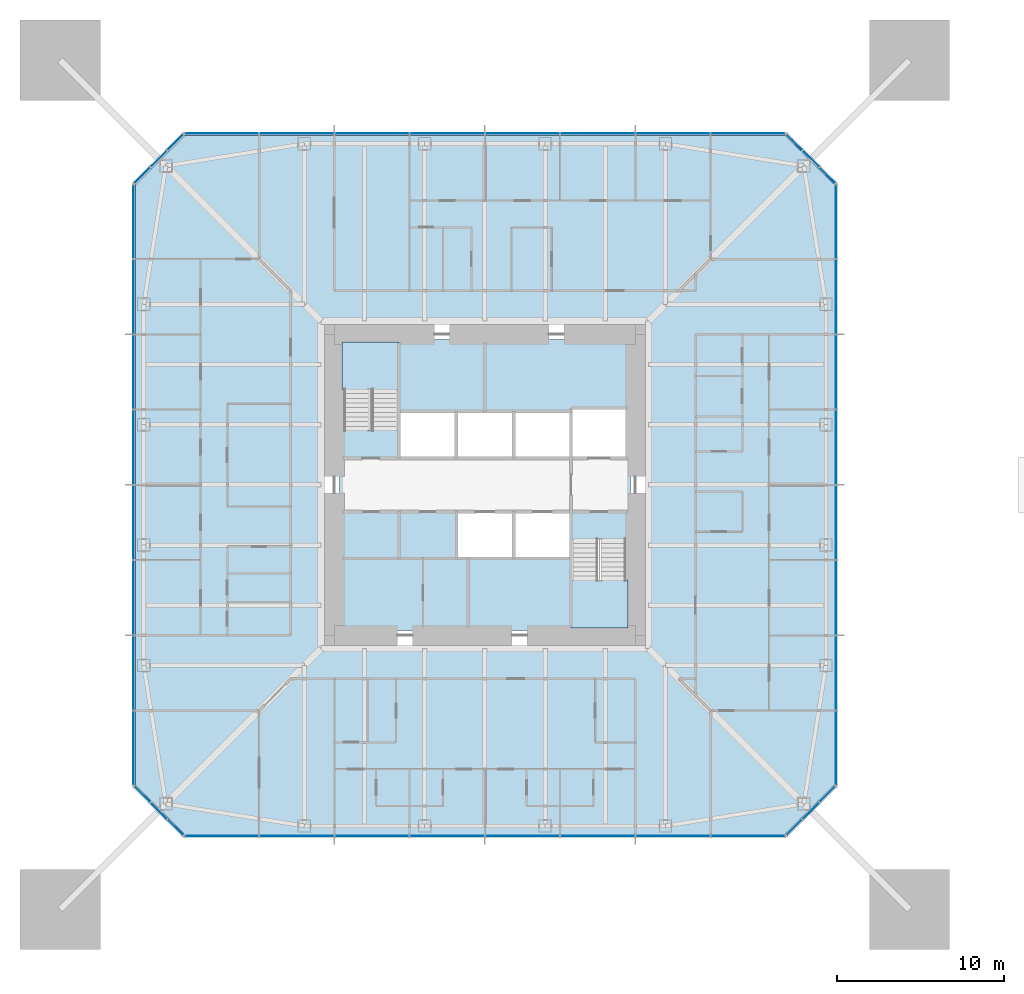
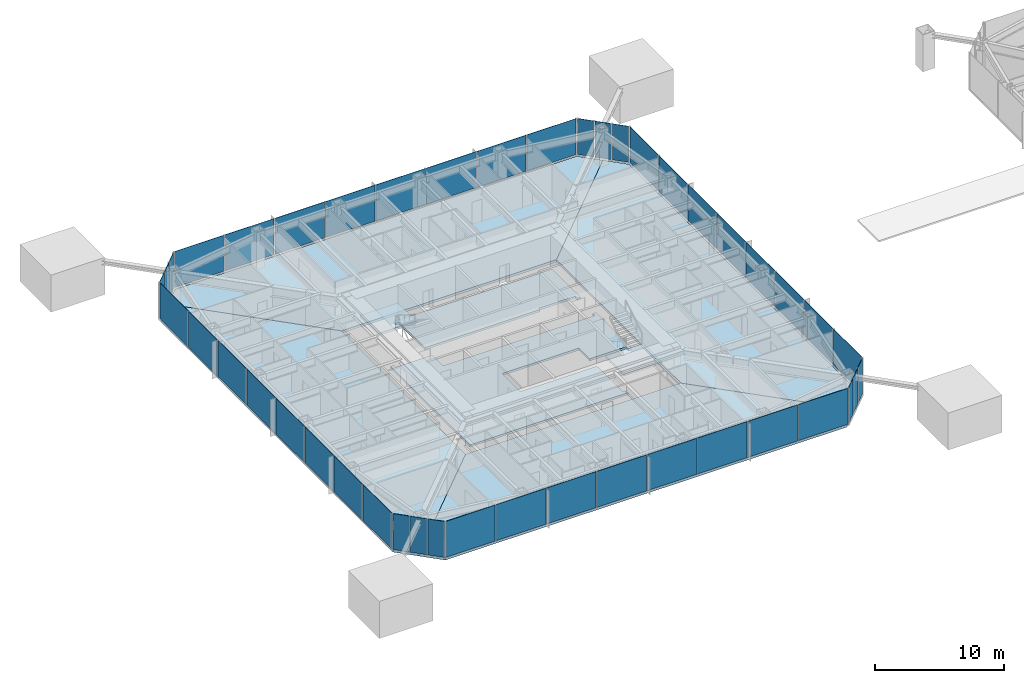
# One storey, part 11 of 25: 44 plates, 8 slabs, 10 elements without a shape of their own.
"""IFC4 building model written with IfcOpenShell, lengths in metres."""

from ifc_helpers import new_model, si_unit, direction, frame, origin, origin_2d, place, context, subcontext, project, spatial, polyline, rectangle, outline, extrude, material, layer, layer_set, constituent, constituent_set, type_object, element, aggregate, save


model = new_model("IFC4")

# Units and contexts
model_context = context("Model", 3, precision=1e-05, world=origin(), true_north=direction((0.0, 1.0)))
body_context = subcontext(model_context, "Body", "Model", "MODEL_VIEW")
ifc_project = project(units=[si_unit("LENGTHUNIT", "METRE"), si_unit("AREAUNIT", "SQUARE_METRE"), si_unit("VOLUMEUNIT", "CUBIC_METRE"), si_unit("PLANEANGLEUNIT", "RADIAN"), si_unit("MASSUNIT", "GRAM", prefix="KILO")], contexts=[model_context])

# Site, building, storey
site_placement = place(None, origin())
site = spatial("IfcSite", under=ifc_project, at=site_placement, CompositionType="ELEMENT")
building_placement = place(site_placement, origin())
building = spatial("IfcBuilding", under=site, at=building_placement, Name="Iwan Alto Co-Living Towers", CompositionType="ELEMENT")
storey_placement = place(building_placement, frame((0.0, 0.0, 101.5)))
storey = spatial("IfcBuildingStorey", under=building, at=storey_placement, Name="L27", CompositionType="ELEMENT", Elevation=101.5)

# Slabs
ifc_material_1 = material(Name="Concrete f'c 30 MPa", Category="concrete")
ifc_layer_1 = layer(ifc_material_1, 0.199951171875)
ifc_layer_set_1 = layer_set([ifc_layer_1], Name="CORE FLOOR SLAB 200")
slab_type_1 = type_object("IfcSlabType", Name="CORE FLOOR SLAB 200", PredefinedType="FLOOR", material=ifc_layer_set_1)
slab_1_placement = place(storey_placement, frame((0.0, 0.0, -0.199951171875)))
element("IfcSlab", 1, at=slab_1_placement, inside=storey, type_object=slab_type_1, Name="T1 core floor L27", PredefinedType="FLOOR", context=body_context, shape_type="SweptSolid", body=[
    extrude(outline(polyline([(5.14990234375, -1.60009765625), (1.72509765625, -1.60009765625), (-1.699951171875, -1.60009765625), (-1.699951171875, -4.39990234375), (1.72509765625, -4.39990234375), (5.14990234375, -4.39990234375), (5.14990234375, -8.39990234375), (5.4599609375, -8.39990234375), (5.4599609375, -8.699951171875), (-8.699951171875, -8.699951171875), (-8.699951171875, 3.580078125), (-8.39990234375, 3.580078125), (-8.39990234375, 3.27001953125), (-5.14990234375, 3.27001953125), (-5.14990234375, 1.60009765625), (-1.717041015625, 1.60009765625), (1.717041015625, 1.60009765625), (5.14990234375, 1.60009765625), (8.39990234375, 1.60009765625), (8.39990234375, 1.909912109375), (8.699951171875, 1.909912109375), (8.699951171875, -3.580078125), (8.39990234375, -3.580078125), (8.39990234375, -3.27001953125), (5.14990234375, -3.27001953125), (5.14990234375, -1.60009765625)])), origin(), (0.0, 0.0, 1.0), 0.199951171875),
])
slab_2_placement = place(storey_placement, frame((0.0, 0.0, -0.199951171875)))
element("IfcSlab", 2, at=slab_2_placement, inside=storey, type_object=slab_type_1, Name="T1 core floor L27", PredefinedType="FLOOR", context=body_context, shape_type="SweptSolid", body=[
    extrude(outline(polyline([(1.717041015625, 4.39990234375), (-1.717041015625, 4.39990234375), (-5.14990234375, 4.39990234375), (-5.14990234375, 8.39990234375), (-5.4599609375, 8.39990234375), (-5.4599609375, 8.699951171875), (8.699951171875, 8.699951171875), (8.699951171875, 4.2900390625), (8.39990234375, 4.2900390625), (8.39990234375, 4.60009765625), (5.14990234375, 4.60009765625), (5.14990234375, 4.39990234375), (1.717041015625, 4.39990234375)])), origin(), (0.0, 0.0, 1.0), 0.199951171875),
])

# Curtain wall, plates
ifc_material_2 = material(Name="Bronze aluminium unitised frame", Category="aluminium")
curtain_wall_type_1 = type_object("IfcCurtainWallType", Name="CURTAIN WALL CW-A", PredefinedType="NOTDEFINED", material=ifc_material_2)
curtain_wall_1_placement = place(storey_placement, origin())
curtain_wall_1 = element("IfcCurtainWall", 3, at=curtain_wall_1_placement, inside=storey, type_object=curtain_wall_type_1, Name="T1 curtain wall S L27", PredefinedType="NOTDEFINED")
ifc_material_3 = material(Name="Bronze-tinted insulating glass", Category="glass")
ifc_layer_2 = layer(ifc_material_3, 0.031982421875)
ifc_layer_set_2 = layer_set([ifc_layer_2], Name="CW-A PANEL TINTED IGU 32")
plate_type_1 = type_object("IfcPlateType", Name="CW-A PANEL TINTED IGU 32", PredefinedType="CURTAIN_PANEL", material=ifc_layer_set_2)
plate_1_placement = place(storey_placement, frame((-15.72998046875, -21.0, 0.10009765625), z_axis=(0.0, 0.0, 1.0), x_axis=(1.0, 0.0, 0.0)))
plate_1 = element("IfcPlate", 4, at=plate_1_placement, type_object=plate_type_1, Name="CW-A panel 1.1", PredefinedType="CURTAIN_PANEL", context=body_context, shape_type="SweptSolid", body=[
    extrude(rectangle(XDim=4.3798828125, YDim=0.031982421875, at=origin_2d()), origin(), (0.0, 0.0, 1.0), 3.39990234375),
])
plate_2_placement = place(storey_placement, frame((-11.25, -21.0, 0.10009765625), z_axis=(0.0, 0.0, 1.0), x_axis=(1.0, 0.0, 0.0)))
plate_2 = element("IfcPlate", 5, at=plate_2_placement, type_object=plate_type_1, Name="CW-A panel 2.1", PredefinedType="CURTAIN_PANEL", context=body_context, shape_type="SweptSolid", body=[
    extrude(rectangle(XDim=4.419921875, YDim=0.031982421875, at=origin_2d()), origin(), (0.0, 0.0, 1.0), 3.39990234375),
])
plate_3_placement = place(storey_placement, frame((-6.75, -21.0, 0.10009765625), z_axis=(0.0, 0.0, 1.0), x_axis=(1.0, 0.0, 0.0)))
plate_3 = element("IfcPlate", 6, at=plate_3_placement, type_object=plate_type_1, Name="CW-A panel 3.1", PredefinedType="CURTAIN_PANEL", context=body_context, shape_type="SweptSolid", body=[
    extrude(rectangle(XDim=4.419921875, YDim=0.031982421875, at=origin_2d()), origin(), (0.0, 0.0, 1.0), 3.39990234375),
])
plate_4_placement = place(storey_placement, frame((-2.25, -21.0, 0.10009765625), z_axis=(0.0, 0.0, 1.0), x_axis=(1.0, 0.0, 0.0)))
plate_4 = element("IfcPlate", 7, at=plate_4_placement, type_object=plate_type_1, Name="CW-A panel 4.1", PredefinedType="CURTAIN_PANEL", context=body_context, shape_type="SweptSolid", body=[
    extrude(rectangle(XDim=4.419921875, YDim=0.031982421875, at=origin_2d()), origin(), (0.0, 0.0, 1.0), 3.39990234375),
])
plate_5_placement = place(storey_placement, frame((2.25, -21.0, 0.10009765625), z_axis=(0.0, 0.0, 1.0), x_axis=(1.0, 0.0, 0.0)))
plate_5 = element("IfcPlate", 8, at=plate_5_placement, type_object=plate_type_1, Name="CW-A panel 5.1", PredefinedType="CURTAIN_PANEL", context=body_context, shape_type="SweptSolid", body=[
    extrude(rectangle(XDim=4.419921875, YDim=0.031982421875, at=origin_2d()), origin(), (0.0, 0.0, 1.0), 3.39990234375),
])
plate_6_placement = place(storey_placement, frame((6.75, -21.0, 0.10009765625), z_axis=(0.0, 0.0, 1.0), x_axis=(1.0, 0.0, 0.0)))
plate_6 = element("IfcPlate", 9, at=plate_6_placement, type_object=plate_type_1, Name="CW-A panel 6.1", PredefinedType="CURTAIN_PANEL", context=body_context, shape_type="SweptSolid", body=[
    extrude(rectangle(XDim=4.419921875, YDim=0.031982421875, at=origin_2d()), origin(), (0.0, 0.0, 1.0), 3.39990234375),
])
plate_7_placement = place(storey_placement, frame((11.25, -21.0, 0.10009765625), z_axis=(0.0, 0.0, 1.0), x_axis=(1.0, 0.0, 0.0)))
plate_7 = element("IfcPlate", 10, at=plate_7_placement, type_object=plate_type_1, Name="CW-A panel 7.1", PredefinedType="CURTAIN_PANEL", context=body_context, shape_type="SweptSolid", body=[
    extrude(rectangle(XDim=4.419921875, YDim=0.031982421875, at=origin_2d()), origin(), (0.0, 0.0, 1.0), 3.39990234375),
])
plate_8_placement = place(storey_placement, frame((15.72998046875, -21.0, 0.10009765625), z_axis=(0.0, 0.0, 1.0), x_axis=(1.0, 0.0, 0.0)))
plate_8 = element("IfcPlate", 11, at=plate_8_placement, type_object=plate_type_1, Name="CW-A panel 8.1", PredefinedType="CURTAIN_PANEL", context=body_context, shape_type="SweptSolid", body=[
    extrude(rectangle(XDim=4.3798828125, YDim=0.031982421875, at=origin_2d()), origin(), (0.0, 0.0, 1.0), 3.39990234375),
])
aggregate(curtain_wall_1, [plate_1, plate_2, plate_3, plate_4, plate_5, plate_6, plate_7, plate_8])

curtain_wall_2_placement = place(storey_placement, origin())
curtain_wall_2 = element("IfcCurtainWall", 12, at=curtain_wall_2_placement, inside=storey, type_object=curtain_wall_type_1, Name="T1 curtain wall E L27", PredefinedType="NOTDEFINED")
plate_9_placement = place(storey_placement, frame((21.0, -15.72998046875, 0.10009765625), z_axis=(0.0, 0.0, 1.0), x_axis=(0.0, 1.0, 0.0)))
plate_9 = element("IfcPlate", 13, at=plate_9_placement, type_object=plate_type_1, Name="CW-A panel 1.1", PredefinedType="CURTAIN_PANEL", context=body_context, shape_type="SweptSolid", body=[
    extrude(rectangle(XDim=4.3798828125, YDim=0.031982421875, at=origin_2d()), origin(), (0.0, 0.0, 1.0), 3.39990234375),
])
plate_10_placement = place(storey_placement, frame((21.0, -11.25, 0.10009765625), z_axis=(0.0, 0.0, 1.0), x_axis=(0.0, 1.0, 0.0)))
plate_10 = element("IfcPlate", 14, at=plate_10_placement, type_object=plate_type_1, Name="CW-A panel 2.1", PredefinedType="CURTAIN_PANEL", context=body_context, shape_type="SweptSolid", body=[
    extrude(rectangle(XDim=4.419921875, YDim=0.031982421875, at=origin_2d()), origin(), (0.0, 0.0, 1.0), 3.39990234375),
])
plate_11_placement = place(storey_placement, frame((21.0, -6.75, 0.10009765625), z_axis=(0.0, 0.0, 1.0), x_axis=(0.0, 1.0, 0.0)))
plate_11 = element("IfcPlate", 15, at=plate_11_placement, type_object=plate_type_1, Name="CW-A panel 3.1", PredefinedType="CURTAIN_PANEL", context=body_context, shape_type="SweptSolid", body=[
    extrude(rectangle(XDim=4.419921875, YDim=0.031982421875, at=origin_2d()), origin(), (0.0, 0.0, 1.0), 3.39990234375),
])
plate_12_placement = place(storey_placement, frame((21.0, -2.25, 0.10009765625), z_axis=(0.0, 0.0, 1.0), x_axis=(0.0, 1.0, 0.0)))
plate_12 = element("IfcPlate", 16, at=plate_12_placement, type_object=plate_type_1, Name="CW-A panel 4.1", PredefinedType="CURTAIN_PANEL", context=body_context, shape_type="SweptSolid", body=[
    extrude(rectangle(XDim=4.419921875, YDim=0.031982421875, at=origin_2d()), origin(), (0.0, 0.0, 1.0), 3.39990234375),
])
plate_13_placement = place(storey_placement, frame((21.0, 2.25, 0.10009765625), z_axis=(0.0, 0.0, 1.0), x_axis=(0.0, 1.0, 0.0)))
plate_13 = element("IfcPlate", 17, at=plate_13_placement, type_object=plate_type_1, Name="CW-A panel 5.1", PredefinedType="CURTAIN_PANEL", context=body_context, shape_type="SweptSolid", body=[
    extrude(rectangle(XDim=4.419921875, YDim=0.031982421875, at=origin_2d()), origin(), (0.0, 0.0, 1.0), 3.39990234375),
])
plate_14_placement = place(storey_placement, frame((21.0, 6.75, 0.10009765625), z_axis=(0.0, 0.0, 1.0), x_axis=(0.0, 1.0, 0.0)))
plate_14 = element("IfcPlate", 18, at=plate_14_placement, type_object=plate_type_1, Name="CW-A panel 6.1", PredefinedType="CURTAIN_PANEL", context=body_context, shape_type="SweptSolid", body=[
    extrude(rectangle(XDim=4.419921875, YDim=0.031982421875, at=origin_2d()), origin(), (0.0, 0.0, 1.0), 3.39990234375),
])
plate_15_placement = place(storey_placement, frame((21.0, 11.25, 0.10009765625), z_axis=(0.0, 0.0, 1.0), x_axis=(0.0, 1.0, 0.0)))
plate_15 = element("IfcPlate", 19, at=plate_15_placement, type_object=plate_type_1, Name="CW-A panel 7.1", PredefinedType="CURTAIN_PANEL", context=body_context, shape_type="SweptSolid", body=[
    extrude(rectangle(XDim=4.419921875, YDim=0.031982421875, at=origin_2d()), origin(), (0.0, 0.0, 1.0), 3.39990234375),
])
plate_16_placement = place(storey_placement, frame((21.0, 15.72998046875, 0.10009765625), z_axis=(0.0, 0.0, 1.0), x_axis=(0.0, 1.0, 0.0)))
plate_16 = element("IfcPlate", 20, at=plate_16_placement, type_object=plate_type_1, Name="CW-A panel 8.1", PredefinedType="CURTAIN_PANEL", context=body_context, shape_type="SweptSolid", body=[
    extrude(rectangle(XDim=4.3798828125, YDim=0.031982421875, at=origin_2d()), origin(), (0.0, 0.0, 1.0), 3.39990234375),
])
aggregate(curtain_wall_2, [plate_9, plate_10, plate_11, plate_12, plate_13, plate_14, plate_15, plate_16])

curtain_wall_3_placement = place(storey_placement, origin())
curtain_wall_3 = element("IfcCurtainWall", 21, at=curtain_wall_3_placement, inside=storey, type_object=curtain_wall_type_1, Name="T1 curtain wall N L27", PredefinedType="NOTDEFINED")
plate_17_placement = place(storey_placement, frame((15.72998046875, 21.0, 0.10009765625), z_axis=(0.0, 0.0, 1.0), x_axis=(-1.0, 0.0, 0.0)))
plate_17 = element("IfcPlate", 22, at=plate_17_placement, type_object=plate_type_1, Name="CW-A panel 1.1", PredefinedType="CURTAIN_PANEL", context=body_context, shape_type="SweptSolid", body=[
    extrude(rectangle(XDim=4.3798828125, YDim=0.031982421875, at=origin_2d()), origin(), (0.0, 0.0, 1.0), 3.39990234375),
])
plate_18_placement = place(storey_placement, frame((11.25, 21.0, 0.10009765625), z_axis=(0.0, 0.0, 1.0), x_axis=(-1.0, 0.0, 0.0)))
plate_18 = element("IfcPlate", 23, at=plate_18_placement, type_object=plate_type_1, Name="CW-A panel 2.1", PredefinedType="CURTAIN_PANEL", context=body_context, shape_type="SweptSolid", body=[
    extrude(rectangle(XDim=4.419921875, YDim=0.031982421875, at=origin_2d()), origin(), (0.0, 0.0, 1.0), 3.39990234375),
])
plate_19_placement = place(storey_placement, frame((6.75, 21.0, 0.10009765625), z_axis=(0.0, 0.0, 1.0), x_axis=(-1.0, 0.0, 0.0)))
plate_19 = element("IfcPlate", 24, at=plate_19_placement, type_object=plate_type_1, Name="CW-A panel 3.1", PredefinedType="CURTAIN_PANEL", context=body_context, shape_type="SweptSolid", body=[
    extrude(rectangle(XDim=4.419921875, YDim=0.031982421875, at=origin_2d()), origin(), (0.0, 0.0, 1.0), 3.39990234375),
])
plate_20_placement = place(storey_placement, frame((2.25, 21.0, 0.10009765625), z_axis=(0.0, 0.0, 1.0), x_axis=(-1.0, 0.0, 0.0)))
plate_20 = element("IfcPlate", 25, at=plate_20_placement, type_object=plate_type_1, Name="CW-A panel 4.1", PredefinedType="CURTAIN_PANEL", context=body_context, shape_type="SweptSolid", body=[
    extrude(rectangle(XDim=4.419921875, YDim=0.031982421875, at=origin_2d()), origin(), (0.0, 0.0, 1.0), 3.39990234375),
])
plate_21_placement = place(storey_placement, frame((-2.25, 21.0, 0.10009765625), z_axis=(0.0, 0.0, 1.0), x_axis=(-1.0, 0.0, 0.0)))
plate_21 = element("IfcPlate", 26, at=plate_21_placement, type_object=plate_type_1, Name="CW-A panel 5.1", PredefinedType="CURTAIN_PANEL", context=body_context, shape_type="SweptSolid", body=[
    extrude(rectangle(XDim=4.419921875, YDim=0.031982421875, at=origin_2d()), origin(), (0.0, 0.0, 1.0), 3.39990234375),
])
plate_22_placement = place(storey_placement, frame((-6.75, 21.0, 0.10009765625), z_axis=(0.0, 0.0, 1.0), x_axis=(-1.0, 0.0, 0.0)))
plate_22 = element("IfcPlate", 27, at=plate_22_placement, type_object=plate_type_1, Name="CW-A panel 6.1", PredefinedType="CURTAIN_PANEL", context=body_context, shape_type="SweptSolid", body=[
    extrude(rectangle(XDim=4.419921875, YDim=0.031982421875, at=origin_2d()), origin(), (0.0, 0.0, 1.0), 3.39990234375),
])
plate_23_placement = place(storey_placement, frame((-11.25, 21.0, 0.10009765625), z_axis=(0.0, 0.0, 1.0), x_axis=(-1.0, 0.0, 0.0)))
plate_23 = element("IfcPlate", 28, at=plate_23_placement, type_object=plate_type_1, Name="CW-A panel 7.1", PredefinedType="CURTAIN_PANEL", context=body_context, shape_type="SweptSolid", body=[
    extrude(rectangle(XDim=4.419921875, YDim=0.031982421875, at=origin_2d()), origin(), (0.0, 0.0, 1.0), 3.39990234375),
])
plate_24_placement = place(storey_placement, frame((-15.72998046875, 21.0, 0.10009765625), z_axis=(0.0, 0.0, 1.0), x_axis=(-1.0, 0.0, 0.0)))
plate_24 = element("IfcPlate", 29, at=plate_24_placement, type_object=plate_type_1, Name="CW-A panel 8.1", PredefinedType="CURTAIN_PANEL", context=body_context, shape_type="SweptSolid", body=[
    extrude(rectangle(XDim=4.3798828125, YDim=0.031982421875, at=origin_2d()), origin(), (0.0, 0.0, 1.0), 3.39990234375),
])
aggregate(curtain_wall_3, [plate_17, plate_18, plate_19, plate_20, plate_21, plate_22, plate_23, plate_24])

curtain_wall_4_placement = place(storey_placement, origin())
curtain_wall_4 = element("IfcCurtainWall", 30, at=curtain_wall_4_placement, inside=storey, type_object=curtain_wall_type_1, Name="T1 curtain wall W L27", PredefinedType="NOTDEFINED")
plate_25_placement = place(storey_placement, frame((-21.0, 15.72998046875, 0.10009765625), z_axis=(0.0, 0.0, 1.0), x_axis=(0.0, -1.0, 0.0)))
plate_25 = element("IfcPlate", 31, at=plate_25_placement, type_object=plate_type_1, Name="CW-A panel 1.1", PredefinedType="CURTAIN_PANEL", context=body_context, shape_type="SweptSolid", body=[
    extrude(rectangle(XDim=4.3798828125, YDim=0.031982421875, at=origin_2d()), origin(), (0.0, 0.0, 1.0), 3.39990234375),
])
plate_26_placement = place(storey_placement, frame((-21.0, 11.25, 0.10009765625), z_axis=(0.0, 0.0, 1.0), x_axis=(0.0, -1.0, 0.0)))
plate_26 = element("IfcPlate", 32, at=plate_26_placement, type_object=plate_type_1, Name="CW-A panel 2.1", PredefinedType="CURTAIN_PANEL", context=body_context, shape_type="SweptSolid", body=[
    extrude(rectangle(XDim=4.419921875, YDim=0.031982421875, at=origin_2d()), origin(), (0.0, 0.0, 1.0), 3.39990234375),
])
plate_27_placement = place(storey_placement, frame((-21.0, 6.75, 0.10009765625), z_axis=(0.0, 0.0, 1.0), x_axis=(0.0, -1.0, 0.0)))
plate_27 = element("IfcPlate", 33, at=plate_27_placement, type_object=plate_type_1, Name="CW-A panel 3.1", PredefinedType="CURTAIN_PANEL", context=body_context, shape_type="SweptSolid", body=[
    extrude(rectangle(XDim=4.419921875, YDim=0.031982421875, at=origin_2d()), origin(), (0.0, 0.0, 1.0), 3.39990234375),
])
plate_28_placement = place(storey_placement, frame((-21.0, 2.25, 0.10009765625), z_axis=(0.0, 0.0, 1.0), x_axis=(0.0, -1.0, 0.0)))
plate_28 = element("IfcPlate", 34, at=plate_28_placement, type_object=plate_type_1, Name="CW-A panel 4.1", PredefinedType="CURTAIN_PANEL", context=body_context, shape_type="SweptSolid", body=[
    extrude(rectangle(XDim=4.419921875, YDim=0.031982421875, at=origin_2d()), origin(), (0.0, 0.0, 1.0), 3.39990234375),
])
plate_29_placement = place(storey_placement, frame((-21.0, -2.25, 0.10009765625), z_axis=(0.0, 0.0, 1.0), x_axis=(0.0, -1.0, 0.0)))
plate_29 = element("IfcPlate", 35, at=plate_29_placement, type_object=plate_type_1, Name="CW-A panel 5.1", PredefinedType="CURTAIN_PANEL", context=body_context, shape_type="SweptSolid", body=[
    extrude(rectangle(XDim=4.419921875, YDim=0.031982421875, at=origin_2d()), origin(), (0.0, 0.0, 1.0), 3.39990234375),
])
plate_30_placement = place(storey_placement, frame((-21.0, -6.75, 0.10009765625), z_axis=(0.0, 0.0, 1.0), x_axis=(0.0, -1.0, 0.0)))
plate_30 = element("IfcPlate", 36, at=plate_30_placement, type_object=plate_type_1, Name="CW-A panel 6.1", PredefinedType="CURTAIN_PANEL", context=body_context, shape_type="SweptSolid", body=[
    extrude(rectangle(XDim=4.419921875, YDim=0.031982421875, at=origin_2d()), origin(), (0.0, 0.0, 1.0), 3.39990234375),
])
plate_31_placement = place(storey_placement, frame((-21.0, -11.25, 0.10009765625), z_axis=(0.0, 0.0, 1.0), x_axis=(0.0, -1.0, 0.0)))
plate_31 = element("IfcPlate", 37, at=plate_31_placement, type_object=plate_type_1, Name="CW-A panel 7.1", PredefinedType="CURTAIN_PANEL", context=body_context, shape_type="SweptSolid", body=[
    extrude(rectangle(XDim=4.419921875, YDim=0.031982421875, at=origin_2d()), origin(), (0.0, 0.0, 1.0), 3.39990234375),
])
plate_32_placement = place(storey_placement, frame((-21.0, -15.72998046875, 0.10009765625), z_axis=(0.0, 0.0, 1.0), x_axis=(0.0, -1.0, 0.0)))
plate_32 = element("IfcPlate", 38, at=plate_32_placement, type_object=plate_type_1, Name="CW-A panel 8.1", PredefinedType="CURTAIN_PANEL", context=body_context, shape_type="SweptSolid", body=[
    extrude(rectangle(XDim=4.3798828125, YDim=0.031982421875, at=origin_2d()), origin(), (0.0, 0.0, 1.0), 3.39990234375),
])
aggregate(curtain_wall_4, [plate_25, plate_26, plate_27, plate_28, plate_29, plate_30, plate_31, plate_32])

ifc_material_4 = material(Name="Bronze aluminium unitised frame", Category="aluminium")
curtain_wall_type_2 = type_object("IfcCurtainWallType", Name="CURTAIN WALL CW-B", PredefinedType="NOTDEFINED", material=ifc_material_4)
curtain_wall_5_placement = place(storey_placement, origin())
curtain_wall_5 = element("IfcCurtainWall", 39, at=curtain_wall_5_placement, inside=storey, type_object=curtain_wall_type_2, Name="T1 chamfer curtain wall SE L27", PredefinedType="NOTDEFINED")
ifc_material_5 = material(Name="Bronze-tinted insulating glass", Category="glass")
ifc_layer_3 = layer(ifc_material_5, 0.031982421875)
ifc_layer_set_3 = layer_set([ifc_layer_3], Name="CW-B PANEL TINTED IGU 32")
plate_type_2 = type_object("IfcPlateType", Name="CW-B PANEL TINTED IGU 32", PredefinedType="CURTAIN_PANEL", material=ifc_layer_set_3)
plate_33_placement = place(storey_placement, frame((18.51416015625, -20.48583984375, 0.10009765625), z_axis=(0.0, 0.0, 1.0), x_axis=(0.707106781187, 0.707106781187, 0.0)))
plate_33 = element("IfcPlate", 40, at=plate_33_placement, type_object=plate_type_2, Name="CW-B panel 1.1", PredefinedType="CURTAIN_PANEL", context=body_context, shape_type="SweptSolid", body=[
    extrude(rectangle(XDim=1.294189453125, YDim=0.031982421875, at=origin_2d()), origin(), (0.0, 0.0, 1.0), 3.39990234375),
])
plate_34_placement = place(storey_placement, frame((19.5, -19.5, 0.10009765625), z_axis=(0.0, 0.0, 1.0), x_axis=(0.707106781187, 0.707106781187, 0.0)))
plate_34 = element("IfcPlate", 41, at=plate_34_placement, type_object=plate_type_2, Name="CW-B panel 2.1", PredefinedType="CURTAIN_PANEL", context=body_context, shape_type="SweptSolid", body=[
    extrude(rectangle(XDim=1.334228515625, YDim=0.031982421875, at=origin_2d()), origin(), (0.0, 0.0, 1.0), 3.39990234375),
])
plate_35_placement = place(storey_placement, frame((20.48583984375, -18.51416015625, 0.10009765625), z_axis=(0.0, 0.0, 1.0), x_axis=(0.707106781187, 0.707106781187, 0.0)))
plate_35 = element("IfcPlate", 42, at=plate_35_placement, type_object=plate_type_2, Name="CW-B panel 3.1", PredefinedType="CURTAIN_PANEL", context=body_context, shape_type="SweptSolid", body=[
    extrude(rectangle(XDim=1.294189453125, YDim=0.031982421875, at=origin_2d()), origin(), (0.0, 0.0, 1.0), 3.39990234375),
])
aggregate(curtain_wall_5, [plate_33, plate_34, plate_35])

curtain_wall_6_placement = place(storey_placement, origin())
curtain_wall_6 = element("IfcCurtainWall", 43, at=curtain_wall_6_placement, inside=storey, type_object=curtain_wall_type_2, Name="T1 chamfer curtain wall NE L27", PredefinedType="NOTDEFINED")
plate_36_placement = place(storey_placement, frame((20.48583984375, 18.51416015625, 0.10009765625), z_axis=(0.0, 0.0, 1.0), x_axis=(-0.707106781187, 0.707106781187, 0.0)))
plate_36 = element("IfcPlate", 44, at=plate_36_placement, type_object=plate_type_2, Name="CW-B panel 1.1", PredefinedType="CURTAIN_PANEL", context=body_context, shape_type="SweptSolid", body=[
    extrude(rectangle(XDim=1.294189453125, YDim=0.031982421875, at=origin_2d()), origin(), (0.0, 0.0, 1.0), 3.39990234375),
])
plate_37_placement = place(storey_placement, frame((19.5, 19.5, 0.10009765625), z_axis=(0.0, 0.0, 1.0), x_axis=(-0.707106781187, 0.707106781187, 0.0)))
plate_37 = element("IfcPlate", 45, at=plate_37_placement, type_object=plate_type_2, Name="CW-B panel 2.1", PredefinedType="CURTAIN_PANEL", context=body_context, shape_type="SweptSolid", body=[
    extrude(rectangle(XDim=1.334228515625, YDim=0.031982421875, at=origin_2d()), origin(), (0.0, 0.0, 1.0), 3.39990234375),
])
plate_38_placement = place(storey_placement, frame((18.51416015625, 20.48583984375, 0.10009765625), z_axis=(0.0, 0.0, 1.0), x_axis=(-0.707106781187, 0.707106781187, 0.0)))
plate_38 = element("IfcPlate", 46, at=plate_38_placement, type_object=plate_type_2, Name="CW-B panel 3.1", PredefinedType="CURTAIN_PANEL", context=body_context, shape_type="SweptSolid", body=[
    extrude(rectangle(XDim=1.294189453125, YDim=0.031982421875, at=origin_2d()), origin(), (0.0, 0.0, 1.0), 3.39990234375),
])
aggregate(curtain_wall_6, [plate_36, plate_37, plate_38])

curtain_wall_7_placement = place(storey_placement, origin())
curtain_wall_7 = element("IfcCurtainWall", 47, at=curtain_wall_7_placement, inside=storey, type_object=curtain_wall_type_2, Name="T1 chamfer curtain wall NW L27", PredefinedType="NOTDEFINED")
plate_39_placement = place(storey_placement, frame((-18.51416015625, 20.48583984375, 0.10009765625), z_axis=(0.0, 0.0, 1.0), x_axis=(-0.707106781187, -0.707106781187, 0.0)))
plate_39 = element("IfcPlate", 48, at=plate_39_placement, type_object=plate_type_2, Name="CW-B panel 1.1", PredefinedType="CURTAIN_PANEL", context=body_context, shape_type="SweptSolid", body=[
    extrude(rectangle(XDim=1.294189453125, YDim=0.031982421875, at=origin_2d()), origin(), (0.0, 0.0, 1.0), 3.39990234375),
])
plate_40_placement = place(storey_placement, frame((-19.5, 19.5, 0.10009765625), z_axis=(0.0, 0.0, 1.0), x_axis=(-0.707106781187, -0.707106781187, 0.0)))
plate_40 = element("IfcPlate", 49, at=plate_40_placement, type_object=plate_type_2, Name="CW-B panel 2.1", PredefinedType="CURTAIN_PANEL", context=body_context, shape_type="SweptSolid", body=[
    extrude(rectangle(XDim=1.334228515625, YDim=0.031982421875, at=origin_2d()), origin(), (0.0, 0.0, 1.0), 3.39990234375),
])
plate_41_placement = place(storey_placement, frame((-20.48583984375, 18.51416015625, 0.10009765625), z_axis=(0.0, 0.0, 1.0), x_axis=(-0.707106781187, -0.707106781187, 0.0)))
plate_41 = element("IfcPlate", 50, at=plate_41_placement, type_object=plate_type_2, Name="CW-B panel 3.1", PredefinedType="CURTAIN_PANEL", context=body_context, shape_type="SweptSolid", body=[
    extrude(rectangle(XDim=1.294189453125, YDim=0.031982421875, at=origin_2d()), origin(), (0.0, 0.0, 1.0), 3.39990234375),
])
aggregate(curtain_wall_7, [plate_39, plate_40, plate_41])

curtain_wall_8_placement = place(storey_placement, origin())
curtain_wall_8 = element("IfcCurtainWall", 51, at=curtain_wall_8_placement, inside=storey, type_object=curtain_wall_type_2, Name="T1 chamfer curtain wall SW L27", PredefinedType="NOTDEFINED")
plate_42_placement = place(storey_placement, frame((-20.48583984375, -18.51416015625, 0.10009765625), z_axis=(0.0, 0.0, 1.0), x_axis=(0.707106781187, -0.707106781187, 0.0)))
plate_42 = element("IfcPlate", 52, at=plate_42_placement, type_object=plate_type_2, Name="CW-B panel 1.1", PredefinedType="CURTAIN_PANEL", context=body_context, shape_type="SweptSolid", body=[
    extrude(rectangle(XDim=1.294189453125, YDim=0.031982421875, at=origin_2d()), origin(), (0.0, 0.0, 1.0), 3.39990234375),
])
plate_43_placement = place(storey_placement, frame((-19.5, -19.5, 0.10009765625), z_axis=(0.0, 0.0, 1.0), x_axis=(0.707106781187, -0.707106781187, 0.0)))
plate_43 = element("IfcPlate", 53, at=plate_43_placement, type_object=plate_type_2, Name="CW-B panel 2.1", PredefinedType="CURTAIN_PANEL", context=body_context, shape_type="SweptSolid", body=[
    extrude(rectangle(XDim=1.334228515625, YDim=0.031982421875, at=origin_2d()), origin(), (0.0, 0.0, 1.0), 3.39990234375),
])
plate_44_placement = place(storey_placement, frame((-18.51416015625, -20.48583984375, 0.10009765625), z_axis=(0.0, 0.0, 1.0), x_axis=(0.707106781187, -0.707106781187, 0.0)))
plate_44 = element("IfcPlate", 54, at=plate_44_placement, type_object=plate_type_2, Name="CW-B panel 3.1", PredefinedType="CURTAIN_PANEL", context=body_context, shape_type="SweptSolid", body=[
    extrude(rectangle(XDim=1.294189453125, YDim=0.031982421875, at=origin_2d()), origin(), (0.0, 0.0, 1.0), 3.39990234375),
])
aggregate(curtain_wall_8, [plate_42, plate_43, plate_44])

# Stair, slab
ifc_material_6 = material(Name="Steel ASTM A36", Category="steel")
ifc_constituent_1 = constituent(ifc_material_6, Name="Stringers", Category="LoadBearing")
ifc_material_7 = material(Name="Concrete f'c 30 MPa", Category="concrete")
ifc_constituent_2 = constituent(ifc_material_7, Name="Tread fill", Category="Finish")
ifc_constituent_set = constituent_set(constituents=[ifc_constituent_1, ifc_constituent_2], Name="STAIR 3500 TWO-FLIGHT T1 CORE")
stair_type = type_object("IfcStairType", Name="STAIR 3500 TWO-FLIGHT T1 CORE", PredefinedType="HALF_TURN_STAIR", material=ifc_constituent_set)
stair_1_placement = place(storey_placement, origin())
stair_1 = element("IfcStair", 55, at=stair_1_placement, inside=storey, type_object=stair_type, Name="Stair T1-S1 L27 to L28", PredefinedType="HALF_TURN_STAIR")
ifc_material_8 = material(Name="Concrete f'c 30 MPa", Category="concrete")
ifc_layer_4 = layer(ifc_material_8, 0.199951171875)
ifc_layer_set_4 = layer_set([ifc_layer_4], Name="STAIR LANDING 200")
slab_type_2 = type_object("IfcSlabType", Name="STAIR LANDING 200", PredefinedType="LANDING", material=ifc_layer_set_4)
slab_3_placement = place(storey_placement, frame((0.0, 0.0, 1.550048828125)))
slab_3 = element("IfcSlab", 56, at=slab_3_placement, type_object=slab_type_2, Name="T1-S1 landing 1", PredefinedType="LANDING", context=body_context, shape_type="SweptSolid", body=[
    extrude(outline(polyline([(-8.550048828125, 5.68994140625), (-8.550048828125, 8.550048828125), (-5.14990234375, 8.550048828125), (-5.14990234375, 5.68994140625), (-8.550048828125, 5.68994140625)])), origin(), (0.0, 0.0, 1.0), 0.199951171875),
])
aggregate(stair_1, [slab_3])

stair_2_placement = place(storey_placement, origin())
stair_2 = element("IfcStair", 57, at=stair_2_placement, inside=storey, type_object=stair_type, Name="Stair T1-S2 L27 to L28", PredefinedType="HALF_TURN_STAIR")
slab_4_placement = place(storey_placement, frame((0.0, 0.0, 1.550048828125)))
slab_4 = element("IfcSlab", 58, at=slab_4_placement, type_object=slab_type_2, Name="T1-S2 landing 1", PredefinedType="LANDING", context=body_context, shape_type="SweptSolid", body=[
    extrude(outline(polyline([(5.14990234375, -5.68994140625), (5.14990234375, -8.550048828125), (8.550048828125, -8.550048828125), (8.550048828125, -5.68994140625), (5.14990234375, -5.68994140625)])), origin(), (0.0, 0.0, 1.0), 0.199951171875),
])
aggregate(stair_2, [slab_4])

# Slabs
ifc_material_9 = material(Name="Concrete f'c 30 MPa", Category="concrete")
ifc_layer_5 = layer(ifc_material_9, 0.22998046875)
ifc_layer_set_5 = layer_set([ifc_layer_5], Name="T1 FLOOR SLAB 230")
slab_type_3 = type_object("IfcSlabType", Name="T1 FLOOR SLAB 230", PredefinedType="FLOOR", material=ifc_layer_set_5)
slab_5_placement = place(storey_placement, frame((0.0, 0.0, -0.22998046875)))
element("IfcSlab", 59, at=slab_5_placement, inside=storey, type_object=slab_type_3, Name="T1 floor slab L27 S pour", PredefinedType="FLOOR", context=body_context, shape_type="SweptSolid", body=[
    extrude(outline(polyline([(17.94140625, -20.89990234375), (-17.94140625, -20.89990234375), (-19.420654296875, -19.420654296875), (-9.60009765625, -9.60009765625), (9.60009765625, -9.60009765625), (19.420654296875, -19.420654296875), (17.94140625, -20.89990234375)])), origin(), (0.0, 0.0, 1.0), 0.22998046875),
])
slab_6_placement = place(storey_placement, frame((0.0, 0.0, -0.22998046875)))
element("IfcSlab", 60, at=slab_6_placement, inside=storey, type_object=slab_type_3, Name="T1 floor slab L27 E pour", PredefinedType="FLOOR", context=body_context, shape_type="SweptSolid", body=[
    extrude(outline(polyline([(20.89990234375, 17.94140625), (20.89990234375, -17.94140625), (19.420654296875, -19.420654296875), (9.60009765625, -9.60009765625), (9.60009765625, 9.60009765625), (19.420654296875, 19.420654296875), (20.89990234375, 17.94140625)])), origin(), (0.0, 0.0, 1.0), 0.22998046875),
])
slab_7_placement = place(storey_placement, frame((0.0, 0.0, -0.22998046875)))
element("IfcSlab", 61, at=slab_7_placement, inside=storey, type_object=slab_type_3, Name="T1 floor slab L27 N pour", PredefinedType="FLOOR", context=body_context, shape_type="SweptSolid", body=[
    extrude(outline(polyline([(-17.94140625, 20.89990234375), (17.94140625, 20.89990234375), (19.420654296875, 19.420654296875), (9.60009765625, 9.60009765625), (-9.60009765625, 9.60009765625), (-19.420654296875, 19.420654296875), (-17.94140625, 20.89990234375)])), origin(), (0.0, 0.0, 1.0), 0.22998046875),
])
slab_8_placement = place(storey_placement, frame((0.0, 0.0, -0.22998046875)))
element("IfcSlab", 62, at=slab_8_placement, inside=storey, type_object=slab_type_3, Name="T1 floor slab L27 W pour", PredefinedType="FLOOR", context=body_context, shape_type="SweptSolid", body=[
    extrude(outline(polyline([(-20.89990234375, 17.94140625), (-19.420654296875, 19.420654296875), (-9.60009765625, 9.60009765625), (-9.60009765625, -9.60009765625), (-19.420654296875, -19.420654296875), (-20.89990234375, -17.94140625), (-20.89990234375, 17.94140625)])), origin(), (0.0, 0.0, 1.0), 0.22998046875),
])

save(model, "model.ifc")
